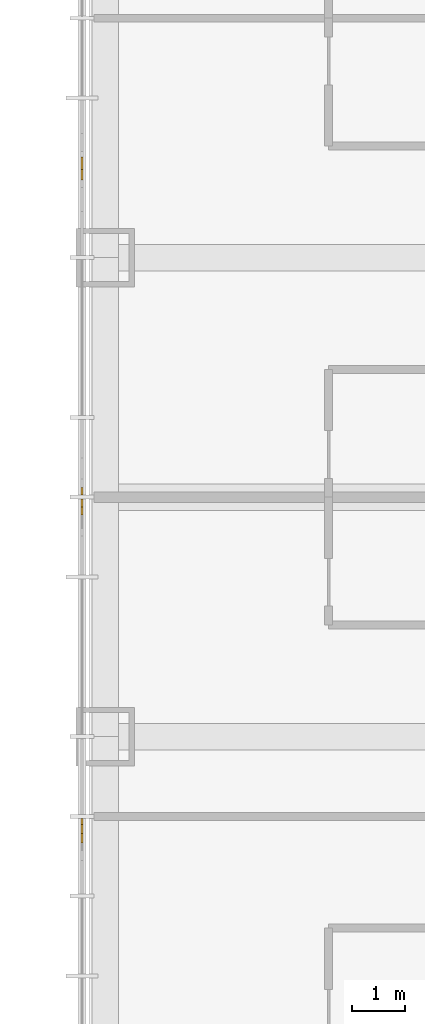
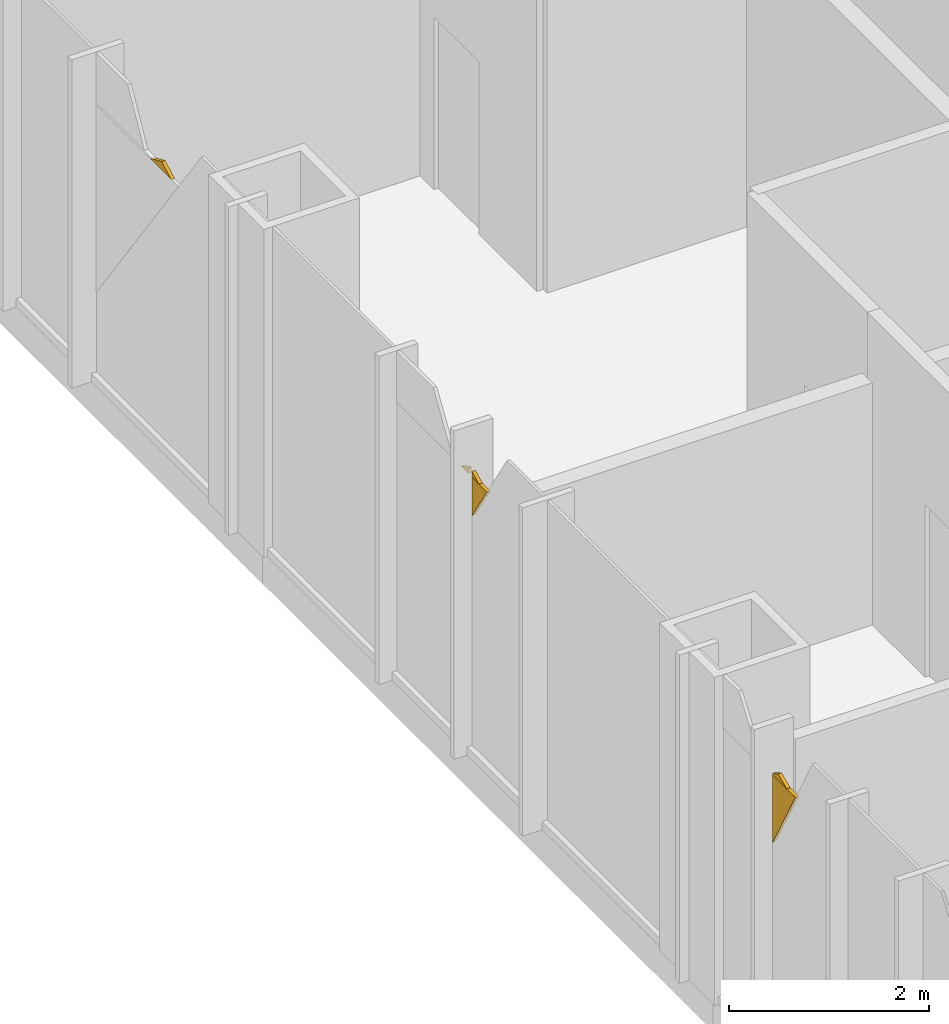
# One storey, part 18 of 23: 6 coverings.
"""IFC4 building model written with IfcOpenShell, lengths in metres."""

from ifc_helpers import new_model, si_unit, direction, frame, origin, place, context, subcontext, project, spatial, polyline, outline, extrude, material, layer, layer_set, type_object, element, save


model = new_model("IFC4")

# Units and contexts
model_context = context("Model", 3, precision=1e-05, world=origin(), true_north=direction((0.0, 1.0)))
body_context = subcontext(model_context, "Body", "Model", "MODEL_VIEW")
ifc_project = project(units=[si_unit("LENGTHUNIT", "METRE"), si_unit("AREAUNIT", "SQUARE_METRE"), si_unit("VOLUMEUNIT", "CUBIC_METRE"), si_unit("PLANEANGLEUNIT", "RADIAN"), si_unit("MASSUNIT", "GRAM", prefix="KILO")], contexts=[model_context])

# Site, building, storey
site_placement = place(None, origin())
site = spatial("IfcSite", under=ifc_project, at=site_placement, CompositionType="ELEMENT")
building_placement = place(site_placement, origin())
building = spatial("IfcBuilding", under=site, at=building_placement, Name="Malebo Sky Hospital", CompositionType="ELEMENT")
storey_placement = place(building_placement, frame((0.0, 0.0, 168.0)))
storey = spatial("IfcBuildingStorey", under=building, at=storey_placement, Name="L40", CompositionType="ELEMENT", Elevation=168.0)

# Coverings
ifc_material = material(Name="Anodised aluminium, natural silver insulated infill panel", Category="aluminium")
ifc_layer = layer(ifc_material, 0.0400390625)
ifc_layer_set = layer_set([ifc_layer], Name="BRACE INFILL PANEL 40")
covering_type = type_object("IfcCoveringType", Name="BRACE INFILL PANEL 40", PredefinedType="CLADDING", material=ifc_layer_set)
covering_1_placement = place(storey_placement, frame((35.864990234375, 55.732666015625, 2.5498046875), z_axis=(0.0, 0.0, 1.0), x_axis=(0.0, 1.0, 0.0)))
element("IfcCovering", 1, at=covering_1_placement, inside=storey, type_object=covering_type, Name="Brace infill panel 6.1", PredefinedType="CLADDING", context=body_context, shape_type="SweptSolid", body=[
    extrude(outline(polyline([(0.229736328125, 0.0), (0.229736328125, 0.832275390625), (-0.22998046875, 0.832275390625), (0.229736328125, 0.0)])), frame((0.0, 0.02001953125, 0.0), z_axis=(0.0, -1.0, 0.0), x_axis=(1.0, 0.0, 0.0)), (0.0, 0.0, 1.0), 0.0400390625),
])
covering_2_placement = place(storey_placement, frame((35.864990234375, 55.818359375, 3.38232421875), z_axis=(0.0, 0.0, 1.0), x_axis=(0.0, 1.0, 0.0)))
element("IfcCovering", 2, at=covering_2_placement, inside=storey, type_object=covering_type, Name="Brace infill panel 6.2", PredefinedType="CLADDING", context=body_context, shape_type="SweptSolid", body=[
    extrude(outline(polyline([(-0.144287109375, 0.0), (0.14404296875, 0.0), (0.14404296875, 0.01220703125), (0.0283203125, 0.07568359375), (-0.144287109375, 0.0)])), frame((0.0, 0.02001953125, 0.0), z_axis=(0.0, -1.0, 0.0), x_axis=(1.0, 0.0, 0.0)), (0.0, 0.0, 1.0), 0.0400390625),
])
covering_3_placement = place(storey_placement, frame((35.864990234375, 61.81201171875, 2.8935546875), z_axis=(0.0, 0.0, 1.0), x_axis=(0.0, 1.0, 0.0)))
element("IfcCovering", 3, at=covering_3_placement, inside=storey, type_object=covering_type, Name="Brace infill panel 9.1", PredefinedType="CLADDING", context=body_context, shape_type="SweptSolid", body=[
    extrude(outline(polyline([(0.150390625, 0.0), (0.150390625, 0.474365234375), (-0.150390625, 0.474365234375), (0.150390625, 0.0)])), frame((0.0, 0.02001953125, 0.0), z_axis=(0.0, -1.0, 0.0), x_axis=(1.0, 0.0, 0.0)), (0.0, 0.0, 1.0), 0.0400390625),
])
covering_4_placement = place(storey_placement, frame((35.864990234375, 61.889892578125, 3.36767578125), z_axis=(0.0, 0.0, 1.0), x_axis=(0.0, 1.0, 0.0)))
element("IfcCovering", 4, at=covering_4_placement, inside=storey, type_object=covering_type, Name="Brace infill panel 9.2", PredefinedType="CLADDING", context=body_context, shape_type="SweptSolid", body=[
    extrude(outline(polyline([(-0.07275390625, 0.0), (0.072509765625, 0.0), (0.072509765625, 0.071533203125), (-0.07275390625, 0.0)])), frame((0.0, 0.02001953125, 0.0), z_axis=(0.0, -1.0, 0.0), x_axis=(1.0, 0.0, 0.0)), (0.0, 0.0, 1.0), 0.0400390625),
])
covering_5_placement = place(storey_placement, frame((35.864990234375, 62.110107421875, 3.36767578125), z_axis=(0.0, 0.0, 1.0), x_axis=(0.0, 1.0, 0.0)))
element("IfcCovering", 5, at=covering_5_placement, inside=storey, type_object=covering_type, Name="Brace infill panel 10.2", PredefinedType="CLADDING", context=body_context, shape_type="SweptSolid", body=[
    extrude(outline(polyline([(-0.072509765625, 0.0), (0.07275390625, 0.0), (-0.072509765625, 0.071533203125), (-0.072509765625, 0.0)])), frame((0.0, 0.02001953125, 0.0), z_axis=(0.0, -1.0, 0.0), x_axis=(1.0, 0.0, 0.0)), (0.0, 0.0, 1.0), 0.0400390625),
])
covering_6_placement = place(storey_placement, frame((35.864990234375, 68.177001953125, 3.3544921875), z_axis=(0.0, 0.0, 1.0), x_axis=(0.0, 1.0, 0.0)))
element("IfcCovering", 6, at=covering_6_placement, inside=storey, type_object=covering_type, Name="Brace infill panel 12.3", PredefinedType="CLADDING", context=body_context, shape_type="SweptSolid", body=[
    extrude(outline(polyline([(-0.212646484375, 0.0), (0.212646484375, 0.0), (-0.023681640625, 0.103515625), (-0.212646484375, 0.0)])), frame((0.0, 0.02001953125, 0.0), z_axis=(0.0, -1.0, 0.0), x_axis=(1.0, 0.0, 0.0)), (0.0, 0.0, 1.0), 0.0400390625),
])

save(model, "model.ifc")
